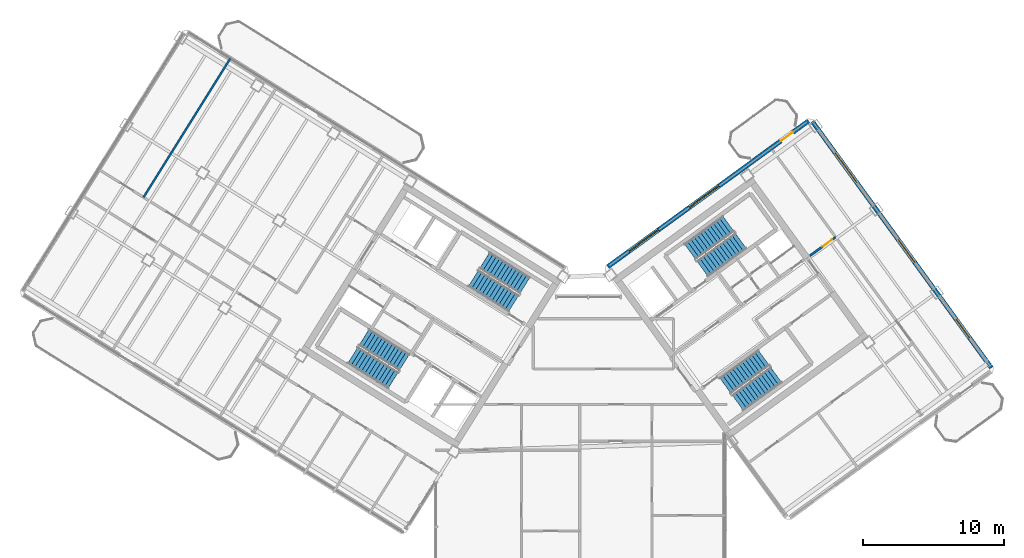
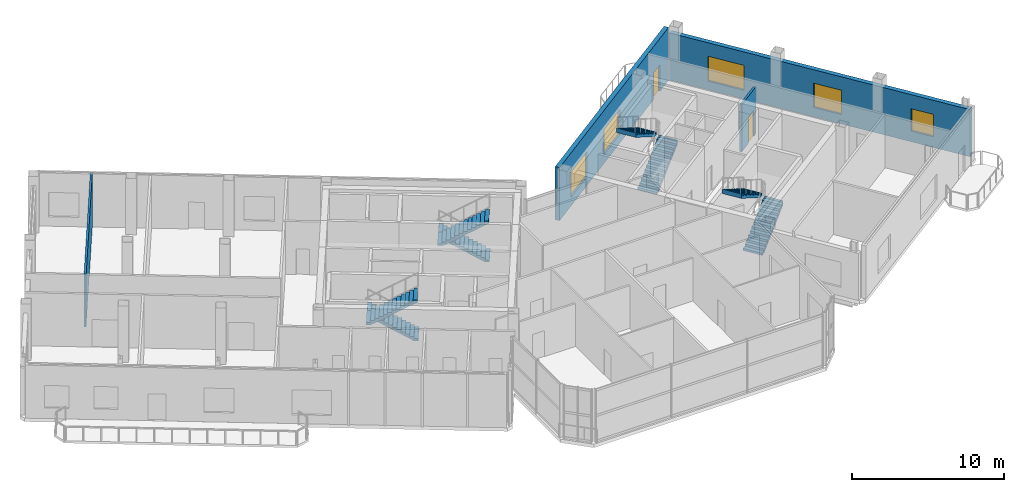
# One storey, part 20 of 27: 8 stair flights, 5 windows, 4 walls, 2 doors, 7 openings, 4 elements without a shape of their own.
"""IFC4 building model written with IfcOpenShell, lengths in metres."""

from ifc_helpers import new_model, si_unit, direction, frame, frame_2d, origin, place, context, subcontext, project, spatial, polyline, rectangle, outline, extrude, source, transform, mapped, material, layer, layer_set, type_object, element, fill, aggregate, save


model = new_model("IFC4")

# Units and contexts
model_context = context("Model", 3, precision=1e-05, world=origin(), true_north=direction((0.0, 1.0)))
body_context = subcontext(model_context, "Body", "Model", "MODEL_VIEW")
ifc_project = project(units=[si_unit("LENGTHUNIT", "METRE"), si_unit("AREAUNIT", "SQUARE_METRE"), si_unit("VOLUMEUNIT", "CUBIC_METRE"), si_unit("PLANEANGLEUNIT", "RADIAN"), si_unit("MASSUNIT", "GRAM", prefix="KILO")], contexts=[model_context])

# Site, building, storey
site_placement = place(None, origin())
site = spatial("IfcSite", under=ifc_project, at=site_placement, CompositionType="ELEMENT")
building_placement = place(site_placement, origin())
building = spatial("IfcBuilding", under=site, at=building_placement, Name="Tlacorven Tower", CompositionType="ELEMENT")
storey_placement = place(building_placement, frame((0.0, 0.0, 254.699951171875)))
storey = spatial("IfcBuildingStorey", under=building, at=storey_placement, Name="L64", CompositionType="ELEMENT", Elevation=254.699951171875)

# Wall, opening, door
ifc_material_1 = material(Name="Gypsum plasterboard acoustic partition", Category="gypsum")
ifc_layer_1 = layer(ifc_material_1, 0.159912109375)
ifc_layer_set_1 = layer_set([ifc_layer_1], Name="Gypsum plasterboard acoustic partition")
wall_type_1 = type_object("IfcWallType", Name="WL-DEM-160", PredefinedType="PARTITIONING", material=ifc_layer_set_1)
wall_1_placement = place(storey_placement, frame((58.267822265625, 25.961669921875, 0.0), z_axis=(0.0, 0.0, 1.0), x_axis=(0.809053894229, 0.587734460648, 0.0)))
wall_1 = element("IfcWall", 1, at=wall_1_placement, inside=storey, type_object=wall_type_1, Name="L64 partition 73", PredefinedType="PARTITIONING", context=body_context, shape_type="SweptSolid", body=[
    extrude(rectangle(XDim=2.258056640625, YDim=0.159912109375, at=frame_2d((1.12890625, 0.0))), origin(), (0.0, 0.0, 1.0), 3.775146484375),
])
opening_1_placement = place(wall_1_placement, frame((1.097900390625, 0.0, 0.0)))
opening_1 = element("IfcOpeningElement", 2, at=opening_1_placement, cuts=wall_1, Name="Opening D19", PredefinedType="OPENING", context=body_context, shape_type="SweptSolid", body=[
    extrude(rectangle(XDim=0.860107421875, YDim=2.050048828125, at=frame_2d((0.43017578125, 1.02490234375))), frame((0.0, 0.08984375, 0.0), z_axis=(0.0, -1.0, 0.0), x_axis=(1.0, 0.0, 0.0)), (0.0, 0.0, 1.0), 0.179931640625),
])
ifc_material_2 = material(Name="Fire-rated steel door assembly", Category="steel")
door_type_1 = type_object("IfcDoorType", Name="DR-RSR-FD60-0860", OperationType="NOTDEFINED", PredefinedType="DOOR", material=ifc_material_2)
shared_shape_1 = source(origin(), body_context, "Body", "SweptSolid", [
    extrude(rectangle(XDim=0.860107421875, YDim=2.050048828125, at=frame_2d((0.43017578125, 1.02490234375))), frame((0.0, 0.02490234375, 0.0), z_axis=(0.0, -1.0, 0.0), x_axis=(1.0, 0.0, 0.0)), (0.0, 0.0, 1.0), 0.050048828125),
])
door_1_placement = place(opening_1_placement, origin())
door_1 = element("IfcDoor", 3, at=door_1_placement, inside=storey, type_object=door_type_1, Name="L64 door 047", OperationType="SINGLE_SWING_RIGHT", OverallHeight=2.050048828125, OverallWidth=0.860107421875, PredefinedType="DOOR", context=body_context, shape_type="MappedRepresentation", body=[
    mapped(shared_shape_1, transform((0.0, 0.0, 0.0), scale=1.0)),
])
fill(opening_1, door_1)

# Wall, openings, door, windows
ifc_material_3 = material(Name="Precast concrete C45/55", Category="concrete")
ifc_layer_2 = layer(ifc_material_3, 0.320068359375)
ifc_layer_set_2 = layer_set([ifc_layer_2], Name="Precast concrete C45/55")
wall_type_2 = type_object("IfcWallType", Name="WL-EXT-320", PredefinedType="STANDARD", material=ifc_layer_set_2)
wall_2_placement = place(storey_placement, frame((43.93798828125, 25.191650390625, 0.0), z_axis=(0.0, 0.0, 1.0), x_axis=(0.809016324578, 0.587786174187, 0.0)))
wall_2 = element("IfcWall", 4, at=wall_2_placement, inside=storey, type_object=wall_type_2, Name="L64 Masonry-Frame Recessed Facade Wall 4", PredefinedType="STANDARD", context=body_context, shape_type="SweptSolid", body=[
    extrude(rectangle(XDim=17.58740234375, YDim=0.320068359375, at=frame_2d((8.793701171875, 0.0))), origin(), (0.0, 0.0, 1.0), 4.25),
])
opening_2_placement = place(wall_2_placement, frame((15.17626953125, 0.0, 0.0)))
opening_2 = element("IfcOpeningElement", 5, at=opening_2_placement, cuts=wall_2, Name="Opening D06", PredefinedType="OPENING", context=body_context, shape_type="SweptSolid", body=[
    extrude(rectangle(XDim=1.050048828125, YDim=2.14990234375, at=frame_2d((0.52490234375, 1.074951171875))), frame((0.0, 0.169921875, 0.0), z_axis=(0.0, -1.0, 0.0), x_axis=(1.0, 0.0, 0.0)), (0.0, 0.0, 1.0), 0.340087890625),
])
opening_3_placement = place(wall_2_placement, frame((1.84375, 0.0, 0.699951171875)))
opening_3 = element("IfcOpeningElement", 6, at=opening_3_placement, cuts=wall_2, Name="Opening WN10", PredefinedType="OPENING", context=body_context, shape_type="SweptSolid", body=[
    extrude(rectangle(XDim=2.60009765625, YDim=2.0, at=frame_2d((1.300048828125, 1.0))), frame((0.0, 0.169921875, 0.0), z_axis=(0.0, -1.0, 0.0), x_axis=(1.0, 0.0, 0.0)), (0.0, 0.0, 1.0), 0.340087890625),
])
opening_4_placement = place(wall_2_placement, frame((7.143798828125, 0.0, 0.699951171875)))
opening_4 = element("IfcOpeningElement", 7, at=opening_4_placement, cuts=wall_2, Name="Opening WN10", PredefinedType="OPENING", context=body_context, shape_type="SweptSolid", body=[
    extrude(rectangle(XDim=2.60009765625, YDim=2.0, at=frame_2d((1.300048828125, 1.0))), frame((0.0, 0.169921875, 0.0), z_axis=(0.0, -1.0, 0.0), x_axis=(1.0, 0.0, 0.0)), (0.0, 0.0, 1.0), 0.340087890625),
])
ifc_material_4 = material(Name="Powder-coated aluminium and timber door", Category="wood")
door_type_2 = type_object("IfcDoorType", Name="DR-EXT-BALC-1050", OperationType="NOTDEFINED", PredefinedType="DOOR", material=ifc_material_4)
shared_shape_2 = source(origin(), body_context, "Body", "SweptSolid", [
    extrude(rectangle(XDim=1.050048828125, YDim=2.14990234375, at=frame_2d((0.52490234375, 1.074951171875))), frame((0.0, 0.02490234375, 0.0), z_axis=(0.0, -1.0, 0.0), x_axis=(1.0, 0.0, 0.0)), (0.0, 0.0, 1.0), 0.050048828125),
])
door_2_placement = place(opening_2_placement, origin())
door_2 = element("IfcDoor", 8, at=door_2_placement, inside=storey, type_object=door_type_2, Name="L64 Outdoor Access Door BAL-L64-E-IN", OperationType="SINGLE_SWING_RIGHT", OverallHeight=2.14990234375, OverallWidth=1.050048828125, PredefinedType="DOOR", context=body_context, shape_type="MappedRepresentation", body=[
    mapped(shared_shape_2, transform((0.0, 0.0, 0.0), scale=1.0)),
])
fill(opening_2, door_2)
ifc_material_5 = material(Name="Dark solar low-E double glazing in anodised aluminium frame", Category="aluminium")
window_type_1 = type_object("IfcWindowType", Name="WN-COM-2600X2200", PartitioningType="SINGLE_PANEL", PredefinedType="WINDOW", material=ifc_material_5)
shared_shape_3 = source(origin(), body_context, "Body", "SweptSolid", [
    extrude(rectangle(XDim=2.60009765625, YDim=2.0, at=frame_2d((1.300048828125, 1.0))), frame((0.0, 0.030029296875, 0.0), z_axis=(0.0, -1.0, 0.0), x_axis=(1.0, 0.0, 0.0)), (0.0, 0.0, 1.0), 0.06005859375),
])
window_1_placement = place(opening_3_placement, origin())
window_1 = element("IfcWindow", 9, at=window_1_placement, inside=storey, type_object=window_type_1, Name="L64 Recessed Masonry-Frame Window L64-04.1", OverallHeight=2.0, OverallWidth=2.60009765625, PartitioningType="SINGLE_PANEL", PredefinedType="WINDOW", context=body_context, shape_type="MappedRepresentation", body=[
    mapped(shared_shape_3, transform((0.0, 0.0, 0.0), scale=1.0)),
])
fill(opening_3, window_1)
window_2_placement = place(opening_4_placement, origin())
window_2 = element("IfcWindow", 10, at=window_2_placement, inside=storey, type_object=window_type_1, Name="L64 Recessed Masonry-Frame Window L64-04.2", OverallHeight=2.0, OverallWidth=2.60009765625, PartitioningType="SINGLE_PANEL", PredefinedType="WINDOW", context=body_context, shape_type="MappedRepresentation", body=[
    mapped(shared_shape_3, transform((0.0, 0.0, 0.0), scale=1.0)),
])
fill(opening_4, window_2)

# Wall, openings, windows
wall_3_placement = place(storey_placement, frame((58.45458984375, 35.483642578125, 0.0), z_axis=(0.0, 0.0, 1.0), x_axis=(0.587783625747, -0.809018176127, 0.0)))
wall_3 = element("IfcWall", 11, at=wall_3_placement, inside=storey, type_object=wall_type_2, Name="L64 Masonry-Frame Recessed Facade Wall 5", PredefinedType="STANDARD", context=body_context, shape_type="SweptSolid", body=[
    extrude(rectangle(XDim=21.58740234375, YDim=0.320068359375, at=frame_2d((10.793701171875, 0.0))), origin(), (0.0, 0.0, 1.0), 3.775146484375),
])
opening_5_placement = place(wall_3_placement, frame((2.74365234375, 0.0, 0.699951171875)))
opening_5 = element("IfcOpeningElement", 12, at=opening_5_placement, cuts=wall_3, Name="Opening WN10", PredefinedType="OPENING", context=body_context, shape_type="SweptSolid", body=[
    extrude(rectangle(XDim=2.60009765625, YDim=2.0, at=frame_2d((1.300048828125, 1.0))), frame((0.0, 0.169921875, 0.0), z_axis=(0.0, -1.0, 0.0), x_axis=(1.0, 0.0, 0.0)), (0.0, 0.0, 1.0), 0.340087890625),
])
opening_6_placement = place(wall_3_placement, frame((10.34375, 0.0, 0.75)))
opening_6 = element("IfcOpeningElement", 13, at=opening_6_placement, cuts=wall_3, Name="Opening WN11", PredefinedType="OPENING", context=body_context, shape_type="SweptSolid", body=[
    extrude(rectangle(XDim=2.0, YDim=1.949951171875, at=frame_2d((1.0, 0.97509765625))), frame((0.0, 0.169921875, 0.0), z_axis=(0.0, -1.0, 0.0), x_axis=(1.0, 0.0, 0.0)), (0.0, 0.0, 1.0), 0.340087890625),
])
opening_7_placement = place(wall_3_placement, frame((17.356201171875, 0.0, 0.85009765625)))
opening_7 = element("IfcOpeningElement", 14, at=opening_7_placement, cuts=wall_3, Name="Opening WN12", PredefinedType="OPENING", context=body_context, shape_type="SweptSolid", body=[
    extrude(rectangle(XDim=1.60009765625, YDim=1.800048828125, at=frame_2d((0.800048828125, 0.89990234375))), frame((0.0, 0.169921875, 0.0), z_axis=(0.0, -1.0, 0.0), x_axis=(1.0, 0.0, 0.0)), (0.0, 0.0, 1.0), 0.340087890625),
])
window_3_placement = place(opening_5_placement, origin())
window_3 = element("IfcWindow", 15, at=window_3_placement, inside=storey, type_object=window_type_1, Name="L64 Recessed Masonry-Frame Window L64-05.1", OverallHeight=2.0, OverallWidth=2.60009765625, PartitioningType="SINGLE_PANEL", PredefinedType="WINDOW", context=body_context, shape_type="MappedRepresentation", body=[
    mapped(shared_shape_3, transform((0.0, 0.0, 0.0), scale=1.0)),
])
fill(opening_5, window_3)
window_type_2 = type_object("IfcWindowType", Name="WN-COM-1600X1900", PartitioningType="SINGLE_PANEL", PredefinedType="WINDOW", material=ifc_material_5)
shared_shape_4 = source(origin(), body_context, "Body", "SweptSolid", [
    extrude(rectangle(XDim=1.60009765625, YDim=1.800048828125, at=frame_2d((0.800048828125, 0.89990234375))), frame((0.0, 0.030029296875, 0.0), z_axis=(0.0, -1.0, 0.0), x_axis=(1.0, 0.0, 0.0)), (0.0, 0.0, 1.0), 0.06005859375),
])
window_4_placement = place(opening_7_placement, origin())
window_4 = element("IfcWindow", 16, at=window_4_placement, inside=storey, type_object=window_type_2, Name="L64 Recessed Masonry-Frame Window L64-05.3", OverallHeight=1.800048828125, OverallWidth=1.60009765625, PartitioningType="SINGLE_PANEL", PredefinedType="WINDOW", context=body_context, shape_type="MappedRepresentation", body=[
    mapped(shared_shape_4, transform((0.0, 0.0, 0.0), scale=1.0)),
])
fill(opening_7, window_4)
window_type_3 = type_object("IfcWindowType", Name="WN-COM-2000X2100", PartitioningType="SINGLE_PANEL", PredefinedType="WINDOW", material=ifc_material_5)
shared_shape_5 = source(origin(), body_context, "Body", "SweptSolid", [
    extrude(rectangle(XDim=2.0, YDim=1.949951171875, at=frame_2d((1.0, 0.97509765625))), frame((0.0, 0.030029296875, 0.0), z_axis=(0.0, -1.0, 0.0), x_axis=(1.0, 0.0, 0.0)), (0.0, 0.0, 1.0), 0.06005859375),
])
window_5_placement = place(opening_6_placement, origin())
window_5 = element("IfcWindow", 17, at=window_5_placement, inside=storey, type_object=window_type_3, Name="L64 Recessed Masonry-Frame Window L64-05.2", OverallHeight=1.949951171875, OverallWidth=2.0, PartitioningType="SINGLE_PANEL", PredefinedType="WINDOW", context=body_context, shape_type="MappedRepresentation", body=[
    mapped(shared_shape_5, transform((0.0, 0.0, 0.0), scale=1.0)),
])
fill(opening_6, window_5)

# Wall
ifc_material_6 = material(Name="Moisture-resistant gypsum plumbing wall", Category="gypsum")
ifc_layer_3 = layer(ifc_material_6, 0.139892578125)
ifc_layer_set_3 = layer_set([ifc_layer_3], Name="Moisture-resistant gypsum plumbing wall")
wall_type_3 = type_object("IfcWallType", Name="WL-PLM-140", PredefinedType="PLUMBINGWALL", material=ifc_layer_set_3)
wall_4_placement = place(storey_placement, frame((17.150390625, 39.943115234375, 0.0), z_axis=(0.0, 0.0, 1.0), x_axis=(-0.529936507712, -0.848037320991, 0.0)))
element("IfcWall", 18, at=wall_4_placement, inside=storey, type_object=wall_type_3, Name="L64 partition 48", PredefinedType="PLUMBINGWALL", context=body_context, shape_type="SweptSolid", body=[
    extrude(rectangle(XDim=11.599853515625, YDim=0.139892578125, at=frame_2d((5.7998046875, 0.0))), origin(), (0.0, 0.0, 1.0), 4.239990234375),
])

# Stair, stair flights
ifc_material_7 = material(Name="Concrete C40/50", Category="concrete")
stair_type = type_object("IfcStairType", Name="ST-CORE-DLG", PredefinedType="HALF_TURN_STAIR", material=ifc_material_7)
stair_1_placement = place(storey_placement, origin())
stair_1 = element("IfcStair", 19, at=stair_1_placement, inside=storey, type_object=stair_type, Name="L64 Protected Exit Stair West 1", PredefinedType="HALF_TURN_STAIR")
stair_flight_type = type_object("IfcStairFlightType", Name="SFL-RC-1380", PredefinedType="STRAIGHT", material=ifc_material_7)
shared_shape_6 = source(origin(), body_context, "Body", "SweptSolid", [
    extrude(outline(polyline([(-0.0029296875, -0.0029296875), (-0.0029296875, 0.173095703125), (0.280029296875, 0.173095703125), (0.280029296875, 0.34619140625), (0.56005859375, 0.34619140625), (0.56005859375, 0.519287109375), (0.840087890625, 0.519287109375), (0.840087890625, 0.6923828125), (1.1201171875, 0.6923828125), (1.1201171875, 0.865478515625), (1.39990234375, 0.865478515625), (1.39990234375, 1.03857421875), (1.679931640625, 1.03857421875), (1.679931640625, 1.21142578125), (1.9599609375, 1.21142578125), (1.9599609375, 1.384521484375), (2.239990234375, 1.384521484375), (2.239990234375, 1.5576171875), (2.52001953125, 1.5576171875), (2.52001953125, 1.730712890625), (2.800048828125, 1.730712890625), (2.800048828125, 1.90380859375), (3.080078125, 1.90380859375), (3.080078125, 2.076904296875), (3.360107421875, 2.076904296875), (3.360107421875, 2.25), (3.363037109375, 2.25), (3.363037109375, 1.888916015625), (3.360107421875, 1.888916015625), (0.30419921875, 0.0), (0.30419921875, -0.0029296875), (-0.0029296875, -0.0029296875)])), frame((0.0, 0.68994140625, 0.0), z_axis=(0.0, -1.0, 0.0), x_axis=(1.0, 0.0, 0.0)), (0.0, 0.0, 1.0), 1.3798828125),
])
stair_flight_1_placement = place(storey_placement, frame((29.499755859375, 18.39453125, 0.0), z_axis=(0.0, 0.0, 1.0), x_axis=(-0.848048096156, 0.529919264233, 0.0)))
stair_flight_1 = element("IfcStairFlight", 20, at=stair_flight_1_placement, type_object=stair_flight_type, Name="ST-W1 flight 1", NumberOfRisers=13, NumberOfTreads=12, PredefinedType="STRAIGHT", RiserHeight=0.173076923, TreadLength=0.28, context=body_context, shape_type="MappedRepresentation", body=[
    mapped(shared_shape_6, transform((0.0, 0.0, 0.0), scale=1.0)),
])
stair_flight_2_placement = place(storey_placement, frame((25.85546875, 18.903076171875, 2.25), z_axis=(0.0, 0.0, 1.0), x_axis=(0.848048096156, -0.529919264233, 0.0)))
stair_flight_2 = element("IfcStairFlight", 21, at=stair_flight_2_placement, type_object=stair_flight_type, Name="ST-W1 flight 2", NumberOfRisers=13, NumberOfTreads=12, PredefinedType="STRAIGHT", RiserHeight=0.173076923, TreadLength=0.28, context=body_context, shape_type="MappedRepresentation", body=[
    mapped(shared_shape_6, transform((0.0, 0.0, 0.0), scale=1.0)),
])
aggregate(stair_1, [stair_flight_1, stair_flight_2])

stair_2_placement = place(storey_placement, origin())
stair_2 = element("IfcStair", 22, at=stair_2_placement, inside=storey, type_object=stair_type, Name="L64 Protected Exit Stair West 2", PredefinedType="HALF_TURN_STAIR")
stair_flight_3_placement = place(storey_placement, frame((38.051513671875, 23.852294921875, 0.0), z_axis=(0.0, 0.0, 1.0), x_axis=(-0.848048096156, 0.529919264233, 0.0)))
stair_flight_3 = element("IfcStairFlight", 23, at=stair_flight_3_placement, type_object=stair_flight_type, Name="ST-W2 flight 1", NumberOfRisers=13, NumberOfTreads=12, PredefinedType="STRAIGHT", RiserHeight=0.173076923, TreadLength=0.28, context=body_context, shape_type="MappedRepresentation", body=[
    mapped(shared_shape_6, transform((0.0, 0.0, 0.0), scale=1.0)),
])
stair_flight_4_placement = place(storey_placement, frame((34.406982421875, 24.36083984375, 2.25), z_axis=(0.0, 0.0, 1.0), x_axis=(0.848048096156, -0.529919264233, 0.0)))
stair_flight_4 = element("IfcStairFlight", 24, at=stair_flight_4_placement, type_object=stair_flight_type, Name="ST-W2 flight 2", NumberOfRisers=13, NumberOfTreads=12, PredefinedType="STRAIGHT", RiserHeight=0.173076923, TreadLength=0.28, context=body_context, shape_type="MappedRepresentation", body=[
    mapped(shared_shape_6, transform((0.0, 0.0, 0.0), scale=1.0)),
])
aggregate(stair_2, [stair_flight_3, stair_flight_4])

stair_3_placement = place(storey_placement, origin())
stair_3 = element("IfcStair", 25, at=stair_3_placement, inside=storey, type_object=stair_type, Name="L64 Protected Exit Stair East 1", PredefinedType="HALF_TURN_STAIR")
stair_flight_5_placement = place(storey_placement, frame((50.6533203125, 25.0400390625, 0.0), z_axis=(0.0, 0.0, 1.0), x_axis=(0.809016994375, 0.587785252292, 0.0)))
stair_flight_5 = element("IfcStairFlight", 26, at=stair_flight_5_placement, type_object=stair_flight_type, Name="ST-E1 flight 1", NumberOfRisers=13, NumberOfTreads=12, PredefinedType="STRAIGHT", RiserHeight=0.173076923, TreadLength=0.28, context=body_context, shape_type="MappedRepresentation", body=[
    mapped(shared_shape_6, transform((0.0, 0.0, 0.0), scale=1.0)),
])
stair_flight_6_placement = place(storey_placement, frame((52.489990234375, 28.228515625, 2.25), z_axis=(0.0, 0.0, 1.0), x_axis=(-0.809016994375, -0.587785252292, 0.0)))
stair_flight_6 = element("IfcStairFlight", 27, at=stair_flight_6_placement, type_object=stair_flight_type, Name="ST-E1 flight 2", NumberOfRisers=13, NumberOfTreads=12, PredefinedType="STRAIGHT", RiserHeight=0.173076923, TreadLength=0.28, context=body_context, shape_type="MappedRepresentation", body=[
    mapped(shared_shape_6, transform((0.0, 0.0, 0.0), scale=1.0)),
])
aggregate(stair_3, [stair_flight_5, stair_flight_6])

stair_4_placement = place(storey_placement, origin())
stair_4 = element("IfcStair", 28, at=stair_4_placement, inside=storey, type_object=stair_type, Name="L64 Protected Exit Stair East 2", PredefinedType="HALF_TURN_STAIR")
stair_flight_7_placement = place(storey_placement, frame((53.157470703125, 15.536865234375, 0.0), z_axis=(0.0, 0.0, 1.0), x_axis=(0.809016994375, 0.587785252292, 0.0)))
stair_flight_7 = element("IfcStairFlight", 29, at=stair_flight_7_placement, type_object=stair_flight_type, Name="ST-E2 flight 1", NumberOfRisers=13, NumberOfTreads=12, PredefinedType="STRAIGHT", RiserHeight=0.173076923, TreadLength=0.28, context=body_context, shape_type="MappedRepresentation", body=[
    mapped(shared_shape_6, transform((0.0, 0.0, 0.0), scale=1.0)),
])
stair_flight_8_placement = place(storey_placement, frame((54.994140625, 18.725341796875, 2.25), z_axis=(0.0, 0.0, 1.0), x_axis=(-0.809016994375, -0.587785252292, 0.0)))
stair_flight_8 = element("IfcStairFlight", 30, at=stair_flight_8_placement, type_object=stair_flight_type, Name="ST-E2 flight 2", NumberOfRisers=13, NumberOfTreads=12, PredefinedType="STRAIGHT", RiserHeight=0.173076923, TreadLength=0.28, context=body_context, shape_type="MappedRepresentation", body=[
    mapped(shared_shape_6, transform((0.0, 0.0, 0.0), scale=1.0)),
])
aggregate(stair_4, [stair_flight_7, stair_flight_8])

save(model, "model.ifc")
